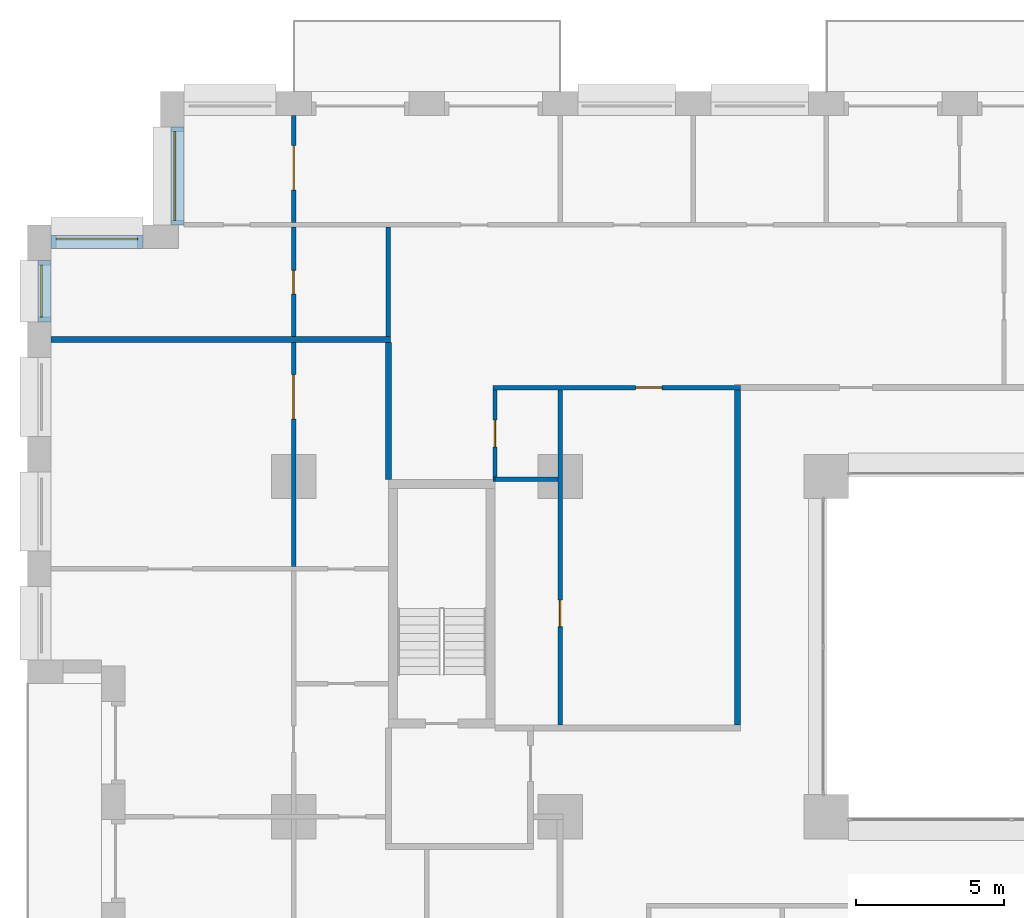
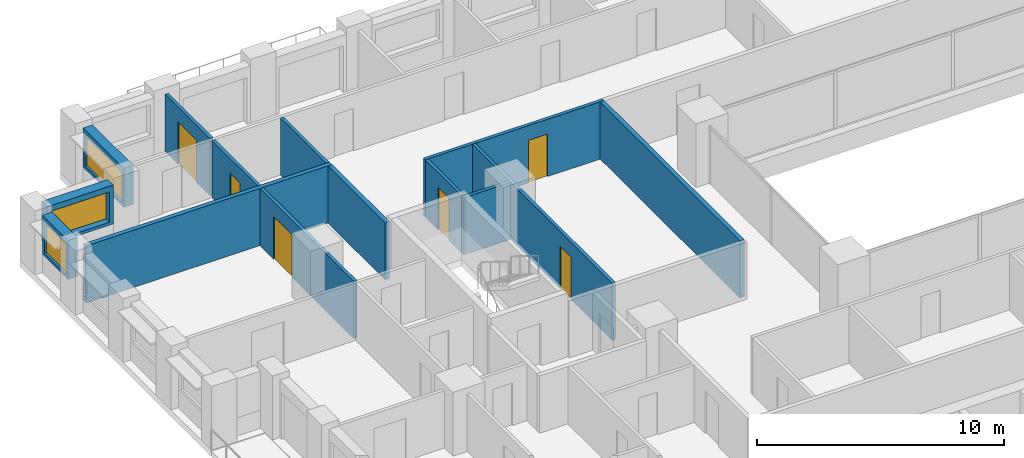
# One storey, part 14 of 20: 15 walls, 6 doors, 3 windows, 9 openings.
"""IFC4 building model written with IfcOpenShell, lengths in metres."""

from ifc_helpers import new_model, si_unit, direction, frame, frame_2d, origin, place, context, subcontext, project, spatial, rectangle, extrude, material, layer, layer_set, type_object, element, fill, save


model = new_model("IFC4")

# Units and contexts
model_context = context("Model", 3, precision=1e-05, world=origin(), true_north=direction((0.0, 1.0)))
body_context = subcontext(model_context, "Body", "Model", "MODEL_VIEW")
ifc_project = project(units=[si_unit("LENGTHUNIT", "METRE"), si_unit("AREAUNIT", "SQUARE_METRE"), si_unit("VOLUMEUNIT", "CUBIC_METRE"), si_unit("PLANEANGLEUNIT", "RADIAN"), si_unit("MASSUNIT", "GRAM", prefix="KILO")], contexts=[model_context])

# Site, building, storey
site_placement = place(None, origin())
site = spatial("IfcSite", under=ifc_project, at=site_placement, CompositionType="ELEMENT")
building_placement = place(site_placement, origin())
building = spatial("IfcBuilding", under=site, at=building_placement, Name="Brigalow Station Residences", CompositionType="ELEMENT")
storey_placement = place(building_placement, frame((0.0, 0.0, 57.300048828125)))
storey = spatial("IfcBuildingStorey", under=building, at=storey_placement, Name="L16", CompositionType="ELEMENT", Elevation=57.300048828125)

# Wall, opening, window
ifc_material_1 = material(Name="Clay brick masonry", Category="masonry")
ifc_layer_1 = layer(ifc_material_1, 0.449951171875)
ifc_layer_set_1 = layer_set([ifc_layer_1], Name="BRICK INFILL WALL 450")
wall_type_1 = type_object("IfcWallType", Name="BRICK INFILL WALL 450", PredefinedType="SOLIDWALL", material=ifc_layer_set_1)
wall_1_placement = place(storey_placement, frame((5.074951171875, 47.300048828125, 0.89990234375), z_axis=(0.0, 0.0, 1.0), x_axis=(0.0, -1.0, 0.0)))
wall_1 = element("IfcWall", 1, at=wall_1_placement, inside=storey, type_object=wall_type_1, Name="L16/ewall/W-L16-40", PredefinedType="SOLIDWALL", context=body_context, shape_type="SweptSolid", body=[
    extrude(rectangle(XDim=3.300048828125, YDim=0.449951171875, at=frame_2d((1.64990234375, 0.0))), origin(), (0.0, 0.0, 1.0), 1.929931640625),
])
opening_1_placement = place(wall_1_placement, frame((0.14990234375, 0.0, 0.14990234375)))
opening_1 = element("IfcOpeningElement", 2, at=opening_1_placement, cuts=wall_1, Name="Opening WT-2", PredefinedType="OPENING", context=body_context, shape_type="SweptSolid", body=[
    extrude(rectangle(XDim=3.0, YDim=1.5, at=frame_2d((1.5, 0.75))), frame((0.0, 0.23486328125, 0.0), z_axis=(0.0, -1.0, 0.0), x_axis=(1.0, 0.0, 0.0)), (0.0, 0.0, 1.0), 0.469970703125),
])
ifc_material_2 = material(Name="Anodised aluminium frame with double glazing", Category="aluminium")
window_type_1 = type_object("IfcWindowType", Name="WINDOW 3000x1500", PartitioningType="SINGLE_PANEL", PredefinedType="WINDOW", material=ifc_material_2)
window_1_placement = place(opening_1_placement, origin())
window_1 = element("IfcWindow", 3, at=window_1_placement, inside=storey, type_object=window_type_1, Name="L16/window/W-L16-40", OverallHeight=1.5, OverallWidth=3.0, PartitioningType="SINGLE_PANEL", PredefinedType="WINDOW", context=body_context, shape_type="SweptSolid", body=[
    extrude(rectangle(XDim=3.0, YDim=1.5, at=frame_2d((1.5, 0.75))), frame((0.0, -0.06494140625, 0.0), z_axis=(0.0, -1.0, 0.0), x_axis=(1.0, 0.0, 0.0)), (0.0, 0.0, 1.0), 0.06005859375),
])
fill(opening_1, window_1)

wall_2_placement = place(storey_placement, frame((3.89990234375, 43.425048828125, 0.89990234375), z_axis=(0.0, 0.0, 1.0), x_axis=(-1.0, 0.0, 0.0)))
wall_2 = element("IfcWall", 4, at=wall_2_placement, inside=storey, type_object=wall_type_1, Name="L16/ewall/W-L16-41", PredefinedType="SOLIDWALL", context=body_context, shape_type="SweptSolid", body=[
    extrude(rectangle(XDim=3.099853515625, YDim=0.449951171875, at=frame_2d((1.5498046875, 0.0))), origin(), (0.0, 0.0, 1.0), 1.929931640625),
])
opening_2_placement = place(wall_2_placement, frame((0.175048828125, 0.0, 0.14990234375)))
opening_2 = element("IfcOpeningElement", 5, at=opening_2_placement, cuts=wall_2, Name="Opening WT-3", PredefinedType="OPENING", context=body_context, shape_type="SweptSolid", body=[
    extrude(rectangle(XDim=2.75, YDim=1.5, at=frame_2d((1.375, 0.75))), frame((0.0, 0.23486328125, 0.0), z_axis=(0.0, -1.0, 0.0), x_axis=(1.0, 0.0, 0.0)), (0.0, 0.0, 1.0), 0.469970703125),
])
ifc_material_3 = material(Name="Anodised aluminium frame with double glazing", Category="aluminium")
window_type_2 = type_object("IfcWindowType", Name="WINDOW 2750x1500", PartitioningType="SINGLE_PANEL", PredefinedType="WINDOW", material=ifc_material_3)
window_2_placement = place(opening_2_placement, origin())
window_2 = element("IfcWindow", 6, at=window_2_placement, inside=storey, type_object=window_type_2, Name="L16/window/W-L16-41", OverallHeight=1.5, OverallWidth=2.75, PartitioningType="SINGLE_PANEL", PredefinedType="WINDOW", context=body_context, shape_type="SweptSolid", body=[
    extrude(rectangle(XDim=2.75, YDim=1.5, at=frame_2d((1.375, 0.75))), frame((0.0, -0.06494140625, 0.0), z_axis=(0.0, -1.0, 0.0), x_axis=(1.0, 0.0, 0.0)), (0.0, 0.0, 1.0), 0.06005859375),
])
fill(opening_2, window_2)

wall_3_placement = place(storey_placement, frame((0.574951171875, 42.800048828125, 0.89990234375), z_axis=(0.0, 0.0, 1.0), x_axis=(0.0, -1.0, 0.0)))
wall_3 = element("IfcWall", 7, at=wall_3_placement, inside=storey, type_object=wall_type_1, Name="L16/ewall/W-L16-42", PredefinedType="SOLIDWALL", context=body_context, shape_type="SweptSolid", body=[
    extrude(rectangle(XDim=2.074951171875, YDim=0.449951171875, at=frame_2d((1.03759765625, 0.0))), origin(), (0.0, 0.0, 1.0), 1.929931640625),
])
opening_3_placement = place(wall_3_placement, frame((0.16259765625, 0.0, 0.14990234375)))
opening_3 = element("IfcOpeningElement", 8, at=opening_3_placement, cuts=wall_3, Name="Opening WT-4", PredefinedType="OPENING", context=body_context, shape_type="SweptSolid", body=[
    extrude(rectangle(XDim=1.75, YDim=1.5, at=frame_2d((0.875, 0.75))), frame((0.0, 0.23486328125, 0.0), z_axis=(0.0, -1.0, 0.0), x_axis=(1.0, 0.0, 0.0)), (0.0, 0.0, 1.0), 0.469970703125),
])
ifc_material_4 = material(Name="Anodised aluminium frame with double glazing", Category="aluminium")
window_type_3 = type_object("IfcWindowType", Name="WINDOW 1750x1500", PartitioningType="SINGLE_PANEL", PredefinedType="WINDOW", material=ifc_material_4)
window_3_placement = place(opening_3_placement, origin())
window_3 = element("IfcWindow", 9, at=window_3_placement, inside=storey, type_object=window_type_3, Name="L16/window/W-L16-42", OverallHeight=1.5, OverallWidth=1.75, PartitioningType="SINGLE_PANEL", PredefinedType="WINDOW", context=body_context, shape_type="SweptSolid", body=[
    extrude(rectangle(XDim=1.75, YDim=1.5, at=frame_2d((0.875, 0.75))), frame((0.0, -0.06494140625, 0.0), z_axis=(0.0, -1.0, 0.0), x_axis=(1.0, 0.0, 0.0)), (0.0, 0.0, 1.0), 0.06005859375),
])
fill(opening_3, window_3)

# Wall, opening, door
ifc_material_5 = material(Name="Plasterboard on steel stud partition", Category="steel")
ifc_layer_2 = layer(ifc_material_5, 0.14990234375)
ifc_layer_set_2 = layer_set([ifc_layer_2], Name="FLAT PARTITION 150")
wall_type_2 = type_object("IfcWallType", Name="FLAT PARTITION 150", PredefinedType="PARTITIONING", material=ifc_layer_set_2)
wall_4_placement = place(storey_placement, frame((15.72509765625, 38.5, 0.0), z_axis=(0.0, 0.0, 1.0), x_axis=(1.0, 0.0, 0.0)))
wall_4 = element("IfcWall", 10, at=wall_4_placement, inside=storey, type_object=wall_type_2, Name="PW-1E08", PredefinedType="PARTITIONING", context=body_context, shape_type="SweptSolid", body=[
    extrude(rectangle(XDim=8.375, YDim=0.14990234375, at=frame_2d((4.1875, 0.0))), origin(), (0.0, 0.0, 1.0), 2.829833984375),
])
opening_4_placement = place(wall_4_placement, frame((4.824951171875, 0.0, 0.0)))
opening_4 = element("IfcOpeningElement", 11, at=opening_4_placement, cuts=wall_4, Name="Opening D-1E30", PredefinedType="OPENING", context=body_context, shape_type="SweptSolid", body=[
    extrude(rectangle(XDim=0.89990234375, YDim=2.10009765625, at=frame_2d((0.449951171875, 1.050048828125))), frame((0.0, 0.0849609375, 0.0), z_axis=(0.0, -1.0, 0.0), x_axis=(1.0, 0.0, 0.0)), (0.0, 0.0, 1.0), 0.169921875),
])
ifc_material_6 = material(Name="Solid-core timber door leaf", Category="wood")
door_type_1 = type_object("IfcDoorType", Name="INTERNAL DOOR 900 x 2100", OperationType="SINGLE_SWING_LEFT", PredefinedType="DOOR", material=ifc_material_6)
door_1_placement = place(opening_4_placement, frame((0.89990234375, 0.0, 0.0), z_axis=(0.0, 0.0, 1.0), x_axis=(-1.0, 0.0, 0.0)))
door_1 = element("IfcDoor", 12, at=door_1_placement, inside=storey, type_object=door_type_1, Name="D-1E30", OperationType="SINGLE_SWING_LEFT", OverallHeight=2.10009765625, OverallWidth=0.89990234375, PredefinedType="DOOR", context=body_context, shape_type="SweptSolid", body=[
    extrude(rectangle(XDim=0.89990234375, YDim=2.10009765625, at=frame_2d((0.449951171875, 1.050048828125))), frame((0.0, 0.02490234375, 0.0), z_axis=(0.0, -1.0, 0.0), x_axis=(1.0, 0.0, 0.0)), (0.0, 0.0, 1.0), 0.050048828125),
])
fill(opening_4, door_1)

# Walls
wall_5_placement = place(storey_placement, frame((15.72509765625, 35.39990234375, 0.0), z_axis=(0.0, 0.0, 1.0), x_axis=(1.0, 0.0, 0.0)))
element("IfcWall", 13, at=wall_5_placement, inside=storey, type_object=wall_type_2, Name="PW-1E28", PredefinedType="PARTITIONING", context=body_context, shape_type="SweptSolid", body=[
    extrude(rectangle(XDim=0.074951171875, YDim=0.14990234375, at=frame_2d((0.03759765625, 0.0))), origin(), (0.0, 0.0, 1.0), 2.829833984375),
])
wall_6_placement = place(storey_placement, frame((15.800048828125, 35.39990234375, 0.0), z_axis=(0.0, 0.0, 1.0), x_axis=(1.0, 0.0, 0.0)))
element("IfcWall", 14, at=wall_6_placement, inside=storey, type_object=wall_type_2, Name="PW-1E29", PredefinedType="PARTITIONING", context=body_context, shape_type="SweptSolid", body=[
    extrude(rectangle(XDim=2.125, YDim=0.14990234375, at=frame_2d((1.0625, 0.0))), origin(), (0.0, 0.0, 1.0), 2.829833984375),
])

# Wall, opening, door
wall_7_placement = place(storey_placement, frame((18.0, 27.10009765625, 0.0), z_axis=(0.0, 0.0, 1.0), x_axis=(0.0, 1.0, 0.0)))
wall_7 = element("IfcWall", 15, at=wall_7_placement, inside=storey, type_object=wall_type_2, Name="PW-1E37", PredefinedType="PARTITIONING", context=body_context, shape_type="SweptSolid", body=[
    extrude(rectangle(XDim=11.324951171875, YDim=0.14990234375, at=frame_2d((5.66259765625, 0.0))), origin(), (0.0, 0.0, 1.0), 2.829833984375),
])
opening_5_placement = place(wall_7_placement, frame((3.324951171875, 0.0, 0.0)))
opening_5 = element("IfcOpeningElement", 16, at=opening_5_placement, cuts=wall_7, Name="Opening D-1E33", PredefinedType="OPENING", context=body_context, shape_type="SweptSolid", body=[
    extrude(rectangle(XDim=0.89990234375, YDim=2.10009765625, at=frame_2d((0.449951171875, 1.050048828125))), frame((0.0, 0.0849609375, 0.0), z_axis=(0.0, -1.0, 0.0), x_axis=(1.0, 0.0, 0.0)), (0.0, 0.0, 1.0), 0.169921875),
])
door_2_placement = place(opening_5_placement, origin())
door_2 = element("IfcDoor", 17, at=door_2_placement, inside=storey, type_object=door_type_1, Name="D-1E33", OperationType="SINGLE_SWING_LEFT", OverallHeight=2.10009765625, OverallWidth=0.89990234375, PredefinedType="DOOR", context=body_context, shape_type="SweptSolid", body=[
    extrude(rectangle(XDim=0.89990234375, YDim=2.10009765625, at=frame_2d((0.449951171875, 1.050048828125))), frame((0.0, 0.02490234375, 0.0), z_axis=(0.0, -1.0, 0.0), x_axis=(1.0, 0.0, 0.0)), (0.0, 0.0, 1.0), 0.050048828125),
])
fill(opening_5, door_2)

wall_8_placement = place(storey_placement, frame((9.0, 32.449951171875, 0.0), z_axis=(0.0, 0.0, 1.0), x_axis=(0.0, 1.0, 0.0)))
wall_8 = element("IfcWall", 18, at=wall_8_placement, inside=storey, type_object=wall_type_2, Name="PW-1E52", PredefinedType="PARTITIONING", context=body_context, shape_type="SweptSolid", body=[
    extrude(rectangle(XDim=7.574951171875, YDim=0.14990234375, at=frame_2d((3.78759765625, 0.0))), origin(), (0.0, 0.0, 1.0), 2.829833984375),
])
opening_6_placement = place(wall_8_placement, frame((4.988037109375, 0.0, 0.0)))
opening_6 = element("IfcOpeningElement", 19, at=opening_6_placement, cuts=wall_8, Name="Opening D-1E19", PredefinedType="OPENING", context=body_context, shape_type="SweptSolid", body=[
    extrude(rectangle(XDim=1.5, YDim=2.10009765625, at=frame_2d((0.75, 1.050048828125))), frame((0.0, 0.0849609375, 0.0), z_axis=(0.0, -1.0, 0.0), x_axis=(1.0, 0.0, 0.0)), (0.0, 0.0, 1.0), 0.169921875),
])
ifc_material_7 = material(Name="Solid-core timber door leaf", Category="wood")
door_type_2 = type_object("IfcDoorType", Name="INTERNAL DOUBLE DOOR 1500 x 2100", OperationType="DOUBLE_DOOR_SINGLE_SWING", PredefinedType="DOOR", material=ifc_material_7)
door_3_placement = place(opening_6_placement, frame((1.5, 0.0, 0.0), z_axis=(0.0, 0.0, 1.0), x_axis=(-1.0, 0.0, 0.0)))
door_3 = element("IfcDoor", 20, at=door_3_placement, inside=storey, type_object=door_type_2, Name="D-1E19", OperationType="DOUBLE_DOOR_SINGLE_SWING", OverallHeight=2.10009765625, OverallWidth=1.5, PredefinedType="DOOR", context=body_context, shape_type="SweptSolid", body=[
    extrude(rectangle(XDim=1.5, YDim=2.10009765625, at=frame_2d((0.75, 1.050048828125))), frame((0.0, 0.02490234375, 0.0), z_axis=(0.0, -1.0, 0.0), x_axis=(1.0, 0.0, 0.0)), (0.0, 0.0, 1.0), 0.050048828125),
])
fill(opening_6, door_3)

wall_9_placement = place(storey_placement, frame((9.0, 40.22509765625, 0.0), z_axis=(0.0, 0.0, 1.0), x_axis=(0.0, 1.0, 0.0)))
wall_9 = element("IfcWall", 21, at=wall_9_placement, inside=storey, type_object=wall_type_2, Name="PW-1E53", PredefinedType="PARTITIONING", context=body_context, shape_type="SweptSolid", body=[
    extrude(rectangle(XDim=3.699951171875, YDim=0.14990234375, at=frame_2d((1.85009765625, 0.0))), origin(), (0.0, 0.0, 1.0), 2.829833984375),
])
opening_7_placement = place(wall_9_placement, frame((1.43701171875, 0.0, 0.0)))
opening_7 = element("IfcOpeningElement", 22, at=opening_7_placement, cuts=wall_9, Name="Opening D-1E26", PredefinedType="OPENING", context=body_context, shape_type="SweptSolid", body=[
    extrude(rectangle(XDim=0.800048828125, YDim=2.10009765625, at=frame_2d((0.39990234375, 1.050048828125))), frame((0.0, 0.0849609375, 0.0), z_axis=(0.0, -1.0, 0.0), x_axis=(1.0, 0.0, 0.0)), (0.0, 0.0, 1.0), 0.169921875),
])
ifc_material_8 = material(Name="Solid-core timber door leaf", Category="wood")
door_type_3 = type_object("IfcDoorType", Name="INTERNAL DOOR 800 x 2100", OperationType="SINGLE_SWING_LEFT", PredefinedType="DOOR", material=ifc_material_8)
door_4_placement = place(opening_7_placement, frame((0.800048828125, 0.0, 0.0), z_axis=(0.0, 0.0, 1.0), x_axis=(-1.0, 0.0, 0.0)))
door_4 = element("IfcDoor", 23, at=door_4_placement, inside=storey, type_object=door_type_3, Name="D-1E26", OperationType="SINGLE_SWING_RIGHT", OverallHeight=2.10009765625, OverallWidth=0.800048828125, PredefinedType="DOOR", context=body_context, shape_type="SweptSolid", body=[
    extrude(rectangle(XDim=0.800048828125, YDim=2.10009765625, at=frame_2d((0.39990234375, 1.050048828125))), frame((0.0, 0.02490234375, 0.0), z_axis=(0.0, -1.0, 0.0), x_axis=(1.0, 0.0, 0.0)), (0.0, 0.0, 1.0), 0.050048828125),
])
fill(opening_7, door_4)

wall_10_placement = place(storey_placement, frame((9.0, 44.074951171875, 0.0), z_axis=(0.0, 0.0, 1.0), x_axis=(0.0, 1.0, 0.0)))
wall_10 = element("IfcWall", 24, at=wall_10_placement, inside=storey, type_object=wall_type_2, Name="PW-1E54", PredefinedType="PARTITIONING", context=body_context, shape_type="SweptSolid", body=[
    extrude(rectangle(XDim=3.625, YDim=0.14990234375, at=frame_2d((1.8125, 0.0))), origin(), (0.0, 0.0, 1.0), 2.829833984375),
])
opening_8_placement = place(wall_10_placement, frame((1.10009765625, 0.0, 0.0)))
opening_8 = element("IfcOpeningElement", 25, at=opening_8_placement, cuts=wall_10, Name="Opening D-1E25", PredefinedType="OPENING", context=body_context, shape_type="SweptSolid", body=[
    extrude(rectangle(XDim=1.5, YDim=2.10009765625, at=frame_2d((0.75, 1.050048828125))), frame((0.0, 0.0849609375, 0.0), z_axis=(0.0, -1.0, 0.0), x_axis=(1.0, 0.0, 0.0)), (0.0, 0.0, 1.0), 0.169921875),
])
door_5_placement = place(opening_8_placement, origin())
door_5 = element("IfcDoor", 26, at=door_5_placement, inside=storey, type_object=door_type_2, Name="D-1E25", OperationType="DOUBLE_DOOR_SINGLE_SWING", OverallHeight=2.10009765625, OverallWidth=1.5, PredefinedType="DOOR", context=body_context, shape_type="SweptSolid", body=[
    extrude(rectangle(XDim=1.5, YDim=2.10009765625, at=frame_2d((0.75, 1.050048828125))), frame((0.0, 0.02490234375, 0.0), z_axis=(0.0, -1.0, 0.0), x_axis=(1.0, 0.0, 0.0)), (0.0, 0.0, 1.0), 0.050048828125),
])
fill(opening_8, door_5)

# Wall
wall_11_placement = place(storey_placement, frame((12.199951171875, 40.22509765625, 0.0), z_axis=(0.0, 0.0, 1.0), x_axis=(0.0, 1.0, 0.0)))
element("IfcWall", 27, at=wall_11_placement, inside=storey, type_object=wall_type_2, Name="PW-1E58", PredefinedType="PARTITIONING", context=body_context, shape_type="SweptSolid", body=[
    extrude(rectangle(XDim=3.699951171875, YDim=0.14990234375, at=frame_2d((1.85009765625, 0.0))), origin(), (0.0, 0.0, 1.0), 2.829833984375),
])

# Wall, opening, door
wall_12_placement = place(storey_placement, frame((15.800048828125, 35.47509765625, 0.0), z_axis=(0.0, 0.0, 1.0), x_axis=(0.0, 1.0, 0.0)))
wall_12 = element("IfcWall", 28, at=wall_12_placement, inside=storey, type_object=wall_type_2, Name="PW-1E62", PredefinedType="PARTITIONING", context=body_context, shape_type="SweptSolid", body=[
    extrude(rectangle(XDim=2.949951171875, YDim=0.14990234375, at=frame_2d((1.47509765625, 0.0))), origin(), (0.0, 0.0, 1.0), 2.829833984375),
])
opening_9_placement = place(wall_12_placement, frame((1.02490234375, 0.0, 0.0)))
opening_9 = element("IfcOpeningElement", 29, at=opening_9_placement, cuts=wall_12, Name="Opening D-1E32", PredefinedType="OPENING", context=body_context, shape_type="SweptSolid", body=[
    extrude(rectangle(XDim=0.89990234375, YDim=2.10009765625, at=frame_2d((0.449951171875, 1.050048828125))), frame((0.0, 0.0849609375, 0.0), z_axis=(0.0, -1.0, 0.0), x_axis=(1.0, 0.0, 0.0)), (0.0, 0.0, 1.0), 0.169921875),
])
door_6_placement = place(opening_9_placement, frame((0.89990234375, 0.0, 0.0), z_axis=(0.0, 0.0, 1.0), x_axis=(-1.0, 0.0, 0.0)))
door_6 = element("IfcDoor", 30, at=door_6_placement, inside=storey, type_object=door_type_1, Name="D-1E32", OperationType="SINGLE_SWING_LEFT", OverallHeight=2.10009765625, OverallWidth=0.89990234375, PredefinedType="DOOR", context=body_context, shape_type="SweptSolid", body=[
    extrude(rectangle(XDim=0.89990234375, YDim=2.10009765625, at=frame_2d((0.449951171875, 1.050048828125))), frame((0.0, 0.02490234375, 0.0), z_axis=(0.0, -1.0, 0.0), x_axis=(1.0, 0.0, 0.0)), (0.0, 0.0, 1.0), 0.050048828125),
])
fill(opening_9, door_6)

# Walls
ifc_material_9 = material(Name="Plasterboard on steel stud partition", Category="steel")
ifc_layer_3 = layer(ifc_material_9, 0.199951171875)
ifc_layer_set_3 = layer_set([ifc_layer_3], Name="PARTY AND CORRIDOR WALL 200")
wall_type_3 = type_object("IfcWallType", Name="PARTY AND CORRIDOR WALL 200", PredefinedType="PARTITIONING", material=ifc_layer_set_3)
wall_13_placement = place(storey_placement, frame((0.800048828125, 40.125, 0.0), z_axis=(0.0, 0.0, 1.0), x_axis=(1.0, 0.0, 0.0)))
element("IfcWall", 31, at=wall_13_placement, inside=storey, type_object=wall_type_3, Name="PW-1E26", PredefinedType="PARTITIONING", context=body_context, shape_type="SweptSolid", body=[
    extrude(rectangle(XDim=11.474853515625, YDim=0.199951171875, at=frame_2d((5.7373046875, 0.0))), origin(), (0.0, 0.0, 1.0), 2.829833984375),
])
wall_14_placement = place(storey_placement, frame((24.0, 27.10009765625, 0.0), z_axis=(0.0, 0.0, 1.0), x_axis=(0.0, 1.0, 0.0)))
element("IfcWall", 32, at=wall_14_placement, inside=storey, type_object=wall_type_3, Name="PW-1E46", PredefinedType="PARTITIONING", context=body_context, shape_type="SweptSolid", body=[
    extrude(rectangle(XDim=11.324951171875, YDim=0.199951171875, at=frame_2d((5.66259765625, 0.0))), origin(), (0.0, 0.0, 1.0), 2.829833984375),
])
wall_15_placement = place(storey_placement, frame((12.199951171875, 35.39990234375, 0.0), z_axis=(0.0, 0.0, 1.0), x_axis=(0.0, 1.0, 0.0)))
element("IfcWall", 33, at=wall_15_placement, inside=storey, type_object=wall_type_3, Name="PW-1E59", PredefinedType="PARTITIONING", context=body_context, shape_type="SweptSolid", body=[
    extrude(rectangle(XDim=4.625, YDim=0.199951171875, at=frame_2d((2.3125, 0.0))), origin(), (0.0, 0.0, 1.0), 2.829833984375),
])

save(model, "model.ifc")
